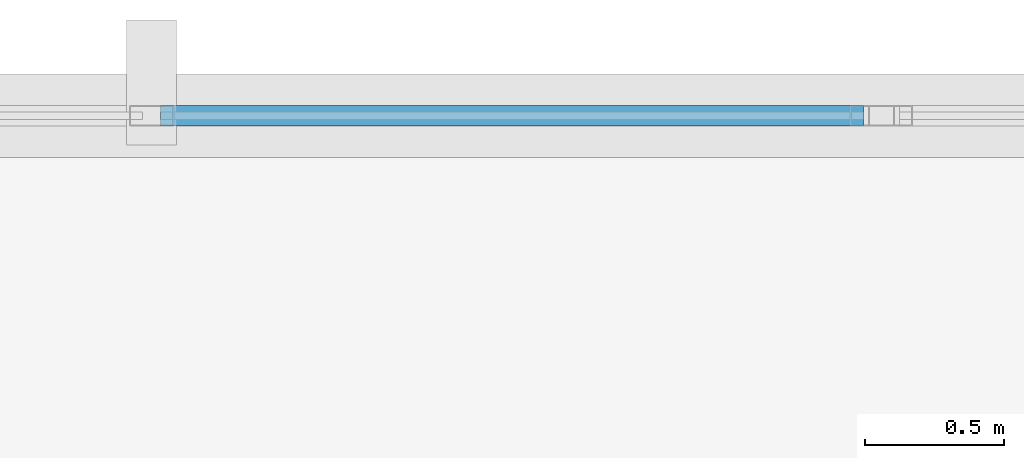
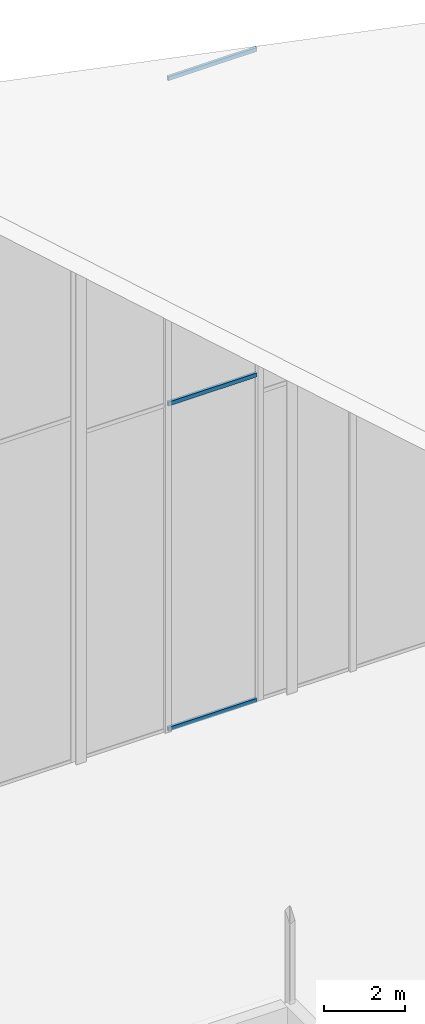
# One storey, part 56 of 74: 3 members, 1 element without a shape of its own.
"""IFC4 building model written with IfcOpenShell, lengths in metres."""

from ifc_helpers import new_model, si_unit, direction, frame, origin, origin_2d, place, context, subcontext, project, spatial, hollow_rectangle, extrude, material, layer, layer_set, material_profile, profile_set, type_object, element, aggregate, save


model = new_model("IFC4")

# Units and contexts
model_context = context("Model", 3, precision=1e-05, world=origin(), true_north=direction((0.0, 1.0)))
body_context = subcontext(model_context, "Body", "Model", "MODEL_VIEW")
ifc_project = project(units=[si_unit("LENGTHUNIT", "METRE"), si_unit("AREAUNIT", "SQUARE_METRE"), si_unit("VOLUMEUNIT", "CUBIC_METRE"), si_unit("PLANEANGLEUNIT", "RADIAN"), si_unit("MASSUNIT", "GRAM", prefix="KILO")], contexts=[model_context])

# Site, building, storey
site_placement = place(None, origin())
site = spatial("IfcSite", under=ifc_project, at=site_placement, CompositionType="ELEMENT")
building_placement = place(site_placement, origin())
building = spatial("IfcBuilding", under=site, at=building_placement, Name="Keshet Zoharim Tower", CompositionType="ELEMENT")
storey_placement = place(building_placement, frame((0.0, 0.0, 320.0)))
storey = spatial("IfcBuildingStorey", under=building, at=storey_placement, Name="RF", CompositionType="ELEMENT", Elevation=320.0)

# Curtain wall, members
ifc_material = material(Name="Aluminium 6063-T6", Category="aluminium")
ifc_layer = layer(ifc_material, 0.260009765625)
ifc_layer_set = layer_set([ifc_layer], Name="Aluminium 6063-T6")
curtain_wall_type = type_object("IfcCurtainWallType", Name="CW-SYS-06", PredefinedType="NOTDEFINED", material=ifc_layer_set)
curtain_wall_placement = place(storey_placement, origin())
curtain_wall = element("IfcCurtainWall", 1, at=curtain_wall_placement, inside=storey, type_object=curtain_wall_type, Name="Slanted Crown Curtain Wall 13", PredefinedType="NOTDEFINED")
ifc_material_profile = material_profile(ifc_material, hollow_rectangle(XDim=0.074951171875, YDim=0.1201171875, WallThickness=0.00390625, at=origin_2d()), Name="TRN-75x120")
ifc_profile_set = profile_set([ifc_material_profile], Name="Aluminium 6063-T6")
member_type = type_object("IfcMemberType", Name="CWT-T12", PredefinedType="USERDEFINED", material=ifc_profile_set)
member_1_placement = place(storey_placement, frame((29.553466796875, 53.89990234375, 0.032470703125), z_axis=(1.0, 0.0, 0.0), x_axis=(0.0, 1.0, 0.0)))
member_1 = element("IfcMember", 2, at=member_1_placement, type_object=member_type, Name="CW-06 transom 2.1", ObjectType="TRANSOM", PredefinedType="USERDEFINED", context=body_context, shape_type="SweptSolid", body=[
    extrude(hollow_rectangle(XDim=0.074951171875, YDim=0.1201171875, WallThickness=0.00390625, at=origin_2d()), origin(), (0.0, 0.0, 1.0), 2.531494140625),
])
member_2_placement = place(storey_placement, frame((29.553466796875, 53.89990234375, 9.822998046875), z_axis=(1.0, 0.0, 0.0), x_axis=(0.0, 1.0, 0.0)))
member_2 = element("IfcMember", 3, at=member_2_placement, type_object=member_type, Name="CW-06 transom 2.2", ObjectType="TRANSOM", PredefinedType="USERDEFINED", context=body_context, shape_type="SweptSolid", body=[
    extrude(hollow_rectangle(XDim=0.074951171875, YDim=0.1201171875, WallThickness=0.00390625, at=origin_2d()), origin(), (0.0, 0.0, 1.0), 2.531494140625),
])
member_3_placement = place(storey_placement, frame((29.553466796875, 53.89990234375, 19.613525390625), z_axis=(1.0, 0.0, 0.0), x_axis=(0.0, 1.0, 0.0)))
member_3 = element("IfcMember", 4, at=member_3_placement, type_object=member_type, Name="CW-06 transom 2.3", ObjectType="TRANSOM", PredefinedType="USERDEFINED", context=body_context, shape_type="SweptSolid", body=[
    extrude(hollow_rectangle(XDim=0.074951171875, YDim=0.1201171875, WallThickness=0.00390625, at=origin_2d()), origin(), (0.0, 0.0, 1.0), 2.531494140625),
])
aggregate(curtain_wall, [member_1, member_2, member_3])

save(model, "model.ifc")
